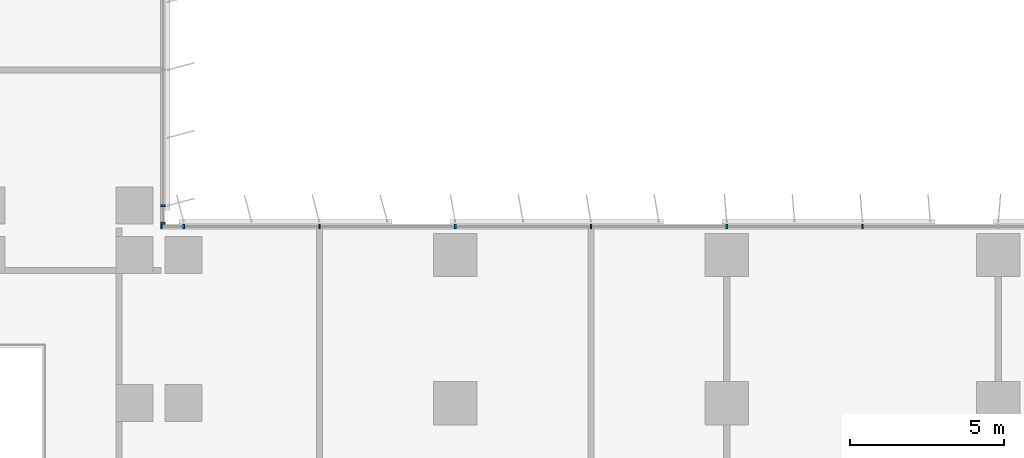
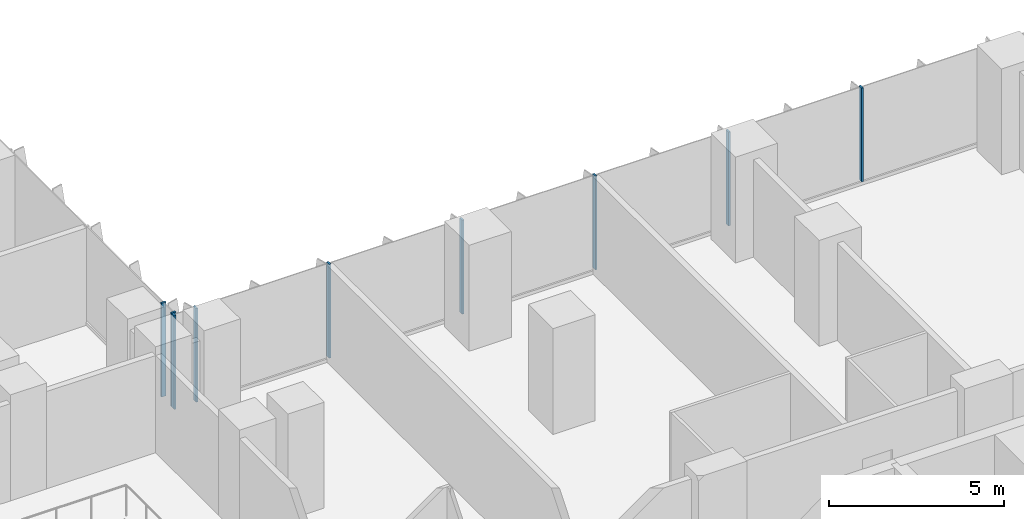
# One storey, part 2 of 24: 9 members, 2 elements without a shape of their own.
"""IFC4 building model written with IfcOpenShell, lengths in metres."""

from ifc_helpers import new_model, si_unit, direction, frame, origin, origin_2d, place, context, subcontext, project, spatial, rectangle, extrude, source, transform, mapped, material, material_profile, profile_set, type_object, element, aggregate, save


model = new_model("IFC4")

# Units and contexts
model_context = context("Model", 3, precision=1e-05, world=origin(), true_north=direction((0.0, 1.0)))
body_context = subcontext(model_context, "Body", "Model", "MODEL_VIEW")
ifc_project = project(units=[si_unit("LENGTHUNIT", "METRE"), si_unit("AREAUNIT", "SQUARE_METRE"), si_unit("VOLUMEUNIT", "CUBIC_METRE"), si_unit("PLANEANGLEUNIT", "RADIAN"), si_unit("MASSUNIT", "GRAM", prefix="KILO")], contexts=[model_context])

# Site, building, storey
site_placement = place(None, origin())
site = spatial("IfcSite", under=ifc_project, at=site_placement, CompositionType="ELEMENT")
building_placement = place(site_placement, origin())
building = spatial("IfcBuilding", under=site, at=building_placement, Name="Kemantara Hotel Tower", CompositionType="ELEMENT")
storey_placement = place(building_placement, frame((0.0, 0.0, 76.0)))
storey = spatial("IfcBuildingStorey", under=building, at=storey_placement, Name="L17", CompositionType="ELEMENT", Elevation=76.0)

# Curtain wall, members
ifc_material_1 = material(Name="Low-E tinted double insulated glass 36 mm", Category="glass")
curtain_wall_type = type_object("IfcCurtainWallType", Name="TOWER CURTAIN WALL, FRONT FACES", PredefinedType="USERDEFINED", material=ifc_material_1)
curtain_wall_1_placement = place(storey_placement, origin())
curtain_wall_1 = element("IfcCurtainWall", 1, at=curtain_wall_1_placement, inside=storey, type_object=curtain_wall_type, Name="CW4 L17 T1-R07-1", ObjectType="TOWER CURTAIN WALL, FRONT FACES", PredefinedType="USERDEFINED")
ifc_material_2 = material(Name="Aluminium 6063-T6 bronze anodised", Category="aluminium")
ifc_material_profile = material_profile(ifc_material_2, rectangle(XDim=0.14990234375, YDim=0.06005859375, at=origin_2d()), Name="TOWER CURTAIN WALL, FRONT FACES MULLION")
ifc_profile_set = profile_set([ifc_material_profile], Name="Aluminium 6063-T6 bronze anodised")
member_type = type_object("IfcMemberType", Name="TOWER CURTAIN WALL, FRONT FACES MULLION", PredefinedType="MULLION", material=ifc_profile_set)
shared_shape = source(origin(), body_context, "Body", "SweptSolid", [
    extrude(rectangle(XDim=0.14990234375, YDim=0.06005859375, at=origin_2d()), origin(), (0.0, 0.0, 1.0), 3.27978515625),
])
member_1_placement = place(storey_placement, frame((49.39990234375, 26.72509765625, 0.1201171875), z_axis=(0.0, 0.0, 1.0), x_axis=(0.0, -1.0, 0.0)))
member_1 = element("IfcMember", 2, at=member_1_placement, type_object=member_type, Name="CW4 mullion T1-R07-1.8", PredefinedType="MULLION", context=body_context, shape_type="MappedRepresentation", body=[
    mapped(shared_shape, transform((0.0, 0.0, 0.0))),
])
member_2_placement = place(storey_placement, frame((45.0, 26.72509765625, 0.1201171875), z_axis=(0.0, 0.0, 1.0), x_axis=(0.0, -1.0, 0.0)))
member_2 = element("IfcMember", 3, at=member_2_placement, type_object=member_type, Name="CW4 mullion T1-R07-1.9", PredefinedType="MULLION", context=body_context, shape_type="MappedRepresentation", body=[
    mapped(shared_shape, transform((0.0, 0.0, 0.0))),
])
member_3_placement = place(storey_placement, frame((40.60009765625, 26.72509765625, 0.1201171875), z_axis=(0.0, 0.0, 1.0), x_axis=(0.0, -1.0, 0.0)))
member_3 = element("IfcMember", 4, at=member_3_placement, type_object=member_type, Name="CW4 mullion T1-R07-1.10", PredefinedType="MULLION", context=body_context, shape_type="MappedRepresentation", body=[
    mapped(shared_shape, transform((0.0, 0.0, 0.0))),
])
member_4_placement = place(storey_placement, frame((36.199951171875, 26.72509765625, 0.1201171875), z_axis=(0.0, 0.0, 1.0), x_axis=(0.0, -1.0, 0.0)))
member_4 = element("IfcMember", 5, at=member_4_placement, type_object=member_type, Name="CW4 mullion T1-R07-1.11", PredefinedType="MULLION", context=body_context, shape_type="MappedRepresentation", body=[
    mapped(shared_shape, transform((0.0, 0.0, 0.0))),
])
member_5_placement = place(storey_placement, frame((31.800048828125, 26.72509765625, 0.1201171875), z_axis=(0.0, 0.0, 1.0), x_axis=(0.0, -1.0, 0.0)))
member_5 = element("IfcMember", 6, at=member_5_placement, type_object=member_type, Name="CW4 mullion T1-R07-1.12", PredefinedType="MULLION", context=body_context, shape_type="MappedRepresentation", body=[
    mapped(shared_shape, transform((0.0, 0.0, 0.0))),
])
member_6_placement = place(storey_placement, frame((27.39990234375, 26.72509765625, 0.1201171875), z_axis=(0.0, 0.0, 1.0), x_axis=(0.0, -1.0, 0.0)))
member_6 = element("IfcMember", 7, at=member_6_placement, type_object=member_type, Name="CW4 mullion T1-R07-1.13", PredefinedType="MULLION", context=body_context, shape_type="MappedRepresentation", body=[
    mapped(shared_shape, transform((0.0, 0.0, 0.0))),
])
member_7_placement = place(storey_placement, frame((26.679931640625, 26.72509765625, 0.1201171875), z_axis=(0.0, 0.0, 1.0), x_axis=(0.0, -1.0, 0.0)))
member_7 = element("IfcMember", 8, at=member_7_placement, type_object=member_type, Name="CW4 mullion T1-R07-1.14", PredefinedType="MULLION", context=body_context, shape_type="MappedRepresentation", body=[
    mapped(shared_shape, transform((0.0, 0.0, 0.0))),
])
aggregate(curtain_wall_1, [member_1, member_2, member_3, member_4, member_5, member_6, member_7])

curtain_wall_2_placement = place(storey_placement, origin())
curtain_wall_2 = element("IfcCurtainWall", 9, at=curtain_wall_2_placement, inside=storey, type_object=curtain_wall_type, Name="CW4 L17 T1-R08-1", ObjectType="TOWER CURTAIN WALL, FRONT FACES", PredefinedType="USERDEFINED")
member_8_placement = place(storey_placement, frame((26.72509765625, 26.830078125, 0.1201171875), z_axis=(0.0, 0.0, 1.0), x_axis=(-1.0, 0.0, 0.0)))
member_8 = element("IfcMember", 10, at=member_8_placement, type_object=member_type, Name="CW4 mullion T1-R08-1.1", PredefinedType="MULLION", context=body_context, shape_type="MappedRepresentation", body=[
    mapped(shared_shape, transform((0.0, 0.0, 0.0))),
])
member_9_placement = place(storey_placement, frame((26.72509765625, 27.39990234375, 0.1201171875), z_axis=(0.0, 0.0, 1.0), x_axis=(-1.0, 0.0, 0.0)))
member_9 = element("IfcMember", 11, at=member_9_placement, type_object=member_type, Name="CW4 mullion T1-R08-1.2", PredefinedType="MULLION", context=body_context, shape_type="MappedRepresentation", body=[
    mapped(shared_shape, transform((0.0, 0.0, 0.0))),
])
aggregate(curtain_wall_2, [member_8, member_9])

save(model, "model.ifc")
